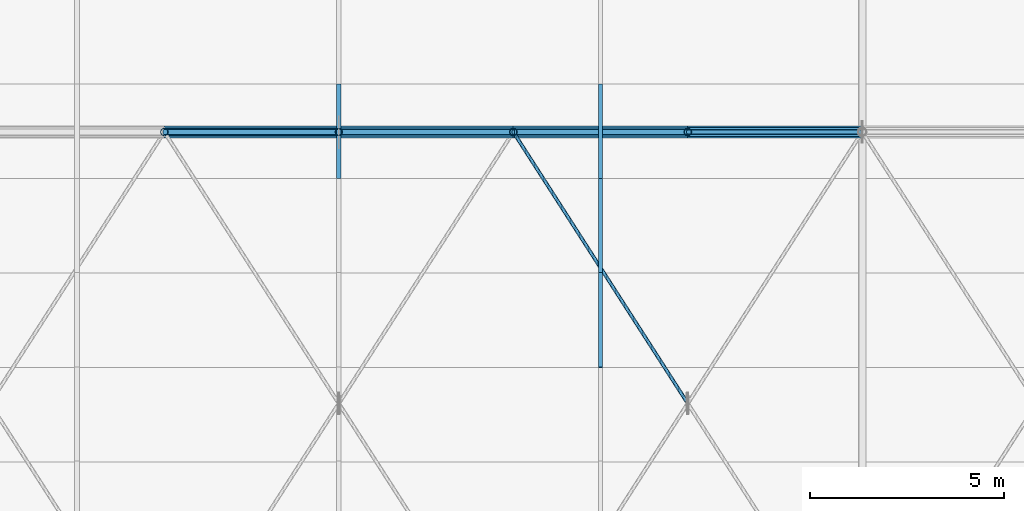
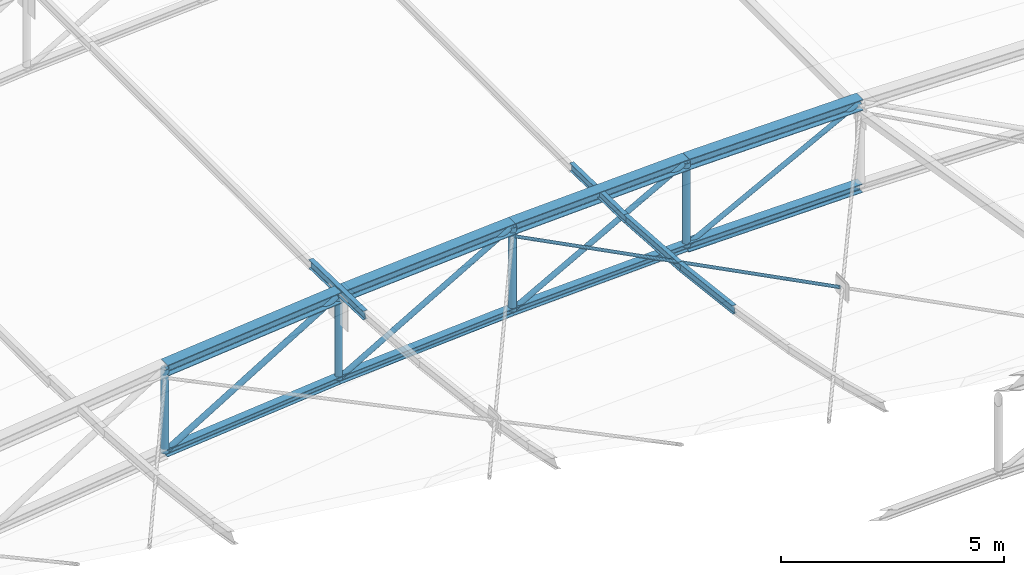
# One storey, part 146 of 262: 21 members.
"""IFC4 building model written with IfcOpenShell, lengths in metres."""

from ifc_helpers import new_model, si_unit, derived_unit, direction, frame, origin, origin_2d, place, context, subcontext, project, spatial, hollow_circle, i_section, extrude, material, material_profile, profile_set, type_object, element, save


model = new_model("IFC4")

# Units and contexts
model_context = context("Model", 3, precision=1e-05, world=origin(), true_north=direction((0.0, 1.0)))
body_context = subcontext(model_context, "Body", "Model", "MODEL_VIEW")
ifc_project = project(units=[si_unit("LENGTHUNIT", "METRE"), si_unit("AREAUNIT", "SQUARE_METRE"), si_unit("VOLUMEUNIT", "CUBIC_METRE"), si_unit("PLANEANGLEUNIT", "RADIAN"), si_unit("MASSUNIT", "GRAM", prefix="KILO"), derived_unit("THERMALTRANSMITTANCEUNIT", [(si_unit("POWERUNIT", "WATT"), 1), (si_unit("LENGTHUNIT", "METRE"), -2), (si_unit("THERMODYNAMICTEMPERATUREUNIT", "KELVIN"), -1)])], contexts=[model_context])

# Site, building, storey
site_placement = place(None, origin())
site = spatial("IfcSite", under=ifc_project, at=site_placement, CompositionType="ELEMENT")
building_placement = place(site_placement, origin())
building = spatial("IfcBuilding", under=site, at=building_placement, Name="Almenara Railside Exhibition Hall", CompositionType="ELEMENT")
storey_placement = place(building_placement, frame((0.0, 0.0, 21.699951171875)))
storey = spatial("IfcBuildingStorey", under=building, at=storey_placement, Name="RF", CompositionType="ELEMENT", Elevation=21.699951171875)

# Members
ifc_material = material(Name="Structural steel S355JR", Category="steel")
ifc_material_profile_1 = material_profile(ifc_material, i_section(OverallWidth=0.239990234375, OverallDepth=0.239990234375, WebThickness=0.010009765625, FlangeThickness=0.01708984375, FilletRadius=0.02099609375, at=origin_2d()), Name="HEB 240")
ifc_profile_set_1 = profile_set([ifc_material_profile_1], Name="Structural steel S355JR")
member_type_1 = type_object("IfcMemberType", Name="Arched Crown Bottom Chord HEB 240 S355JR", PredefinedType="CHORD", material=ifc_profile_set_1)
member_1_placement = place(storey_placement, frame((160.5, 62.0, -7.4462890625), z_axis=(0.999908030213, 0.0, 0.013562120635), x_axis=(0.0, 1.0, 0.0)))
element("IfcMember", 1, at=member_1_placement, inside=storey, type_object=member_type_1, Name="MEM-BC-V2-02-05", PredefinedType="CHORD", context=body_context, shape_type="SweptSolid", body=[
    extrude(i_section(OverallWidth=0.239990234375, OverallDepth=0.239990234375, WebThickness=0.010009765625, FlangeThickness=0.01708984375, FilletRadius=0.02099609375, at=origin_2d()), origin(), (0.0, 0.0, 1.0), 4.50048828125),
])
ifc_material_profile_2 = material_profile(ifc_material, i_section(OverallWidth=0.300048828125, OverallDepth=0.300048828125, WebThickness=0.010986328125, FlangeThickness=0.01904296875, FilletRadius=0.027099609375, at=origin_2d()), Name="HEB 300")
ifc_profile_set_2 = profile_set([ifc_material_profile_2], Name="Structural steel S355JR")
member_type_2 = type_object("IfcMemberType", Name="Arched Inner Top Chord HEB 300 S355JR", PredefinedType="CHORD", material=ifc_profile_set_2)
member_2_placement = place(storey_placement, frame((147.0, 62.0, -6.06298828125), z_axis=(0.995512933083, 0.0, 0.094625578275), x_axis=(0.0, 1.0, 0.0)))
element("IfcMember", 2, at=member_2_placement, inside=storey, type_object=member_type_2, Name="MEM-TC-V2-02-02", PredefinedType="CHORD", context=body_context, shape_type="SweptSolid", body=[
    extrude(i_section(OverallWidth=0.300048828125, OverallDepth=0.300048828125, WebThickness=0.010986328125, FlangeThickness=0.01904296875, FilletRadius=0.027099609375, at=origin_2d()), origin(), (0.0, 0.0, 1.0), 4.520263671875),
])
member_3_placement = place(storey_placement, frame((151.5, 62.0, -5.63525390625), z_axis=(0.997701025897, 0.0, 0.067769188608), x_axis=(0.0, 1.0, 0.0)))
element("IfcMember", 3, at=member_3_placement, inside=storey, type_object=member_type_2, Name="MEM-TC-V2-02-03", PredefinedType="CHORD", context=body_context, shape_type="SweptSolid", body=[
    extrude(i_section(OverallWidth=0.300048828125, OverallDepth=0.300048828125, WebThickness=0.010986328125, FlangeThickness=0.01904296875, FilletRadius=0.027099609375, at=origin_2d()), origin(), (0.0, 0.0, 1.0), 4.51025390625),
])
member_4_placement = place(storey_placement, frame((156.0, 62.0, -5.32958984375), z_axis=(0.99917098071, 0.0, 0.04071057978), x_axis=(0.0, 1.0, 0.0)))
element("IfcMember", 4, at=member_4_placement, inside=storey, type_object=member_type_2, Name="MEM-TC-V2-02-04", PredefinedType="CHORD", context=body_context, shape_type="SweptSolid", body=[
    extrude(i_section(OverallWidth=0.300048828125, OverallDepth=0.300048828125, WebThickness=0.010986328125, FlangeThickness=0.01904296875, FilletRadius=0.027099609375, at=origin_2d()), origin(), (0.0, 0.0, 1.0), 4.503662109375),
])
member_5_placement = place(storey_placement, frame((160.5, 62.0, -5.146240234375), z_axis=(0.999908030213, 0.0, 0.013562120635), x_axis=(0.0, 1.0, 0.0)))
element("IfcMember", 5, at=member_5_placement, inside=storey, type_object=member_type_2, Name="MEM-TC-V2-02-05", PredefinedType="CHORD", context=body_context, shape_type="SweptSolid", body=[
    extrude(i_section(OverallWidth=0.300048828125, OverallDepth=0.300048828125, WebThickness=0.010986328125, FlangeThickness=0.01904296875, FilletRadius=0.027099609375, at=origin_2d()), origin(), (0.0, 0.0, 1.0), 4.50048828125),
])
ifc_material_profile_3 = material_profile(ifc_material, i_section(OverallWidth=0.199951171875, OverallDepth=0.199951171875, WebThickness=0.009033203125, FlangeThickness=0.014892578125, FilletRadius=0.01806640625, at=origin_2d()), Name="HEB 200")
ifc_profile_set_3 = profile_set([ifc_material_profile_3], Name="Structural steel S355JR")
member_type_3 = type_object("IfcMemberType", Name="Canopy Collar Chord HEB 200 S355JR", PredefinedType="CHORD", material=ifc_profile_set_3)
member_6_placement = place(storey_placement, frame((147.0, 62.0, -8.363037109375), z_axis=(0.995507843872, 0.0, 0.094679104292), x_axis=(0.0, 1.0, 0.0)))
element("IfcMember", 6, at=member_6_placement, inside=storey, type_object=member_type_3, Name="MEM-BC-V2-02-02", PredefinedType="CHORD", context=body_context, shape_type="SweptSolid", body=[
    extrude(i_section(OverallWidth=0.199951171875, OverallDepth=0.199951171875, WebThickness=0.009033203125, FlangeThickness=0.014892578125, FilletRadius=0.01806640625, at=origin_2d()), origin(), (0.0, 0.0, 1.0), 4.520263671875),
])
member_7_placement = place(storey_placement, frame((151.5, 62.0, -7.93505859375), z_axis=(0.997704684283, 0.0, 0.067715308162), x_axis=(0.0, 1.0, 0.0)))
element("IfcMember", 7, at=member_7_placement, inside=storey, type_object=member_type_3, Name="MEM-BC-V2-02-03", PredefinedType="CHORD", context=body_context, shape_type="SweptSolid", body=[
    extrude(i_section(OverallWidth=0.199951171875, OverallDepth=0.199951171875, WebThickness=0.009033203125, FlangeThickness=0.014892578125, FilletRadius=0.01806640625, at=origin_2d()), origin(), (0.0, 0.0, 1.0), 4.51025390625),
])
member_8_placement = place(storey_placement, frame((156.0, 62.0, -7.629638671875), z_axis=(0.99917098071, 0.0, 0.04071057978), x_axis=(0.0, 1.0, 0.0)))
element("IfcMember", 8, at=member_8_placement, inside=storey, type_object=member_type_3, Name="MEM-BC-V2-02-04", PredefinedType="CHORD", context=body_context, shape_type="SweptSolid", body=[
    extrude(i_section(OverallWidth=0.199951171875, OverallDepth=0.199951171875, WebThickness=0.009033203125, FlangeThickness=0.014892578125, FilletRadius=0.01806640625, at=origin_2d()), origin(), (0.0, 0.0, 1.0), 4.503662109375),
])
ifc_material_profile_4 = material_profile(ifc_material, hollow_circle(Radius=0.04443359375, WallThickness=0.00390625, at=origin_2d()), Name="CHS 88.9x4")
ifc_profile_set_4 = profile_set([ifc_material_profile_4], Name="Structural steel S355JR")
member_type_4 = type_object("IfcMemberType", Name="Canopy Tie Brace CHS 88.9x4 S355JR", PredefinedType="BRACE", material=ifc_profile_set_4)
member_9_placement = place(storey_placement, frame((160.47412109375, 55.040283203125, -4.3603515625), z_axis=(-0.534698316406, 0.831749694739, -0.149298880555), x_axis=(-0.84117751664, -0.540759082679, 0.0)))
element("IfcMember", 9, at=member_9_placement, inside=storey, type_object=member_type_4, Name="MEM-WB-V2-WB-CHS89-01-04-S2", PredefinedType="BRACE", context=body_context, shape_type="SweptSolid", body=[
    extrude(hollow_circle(Radius=0.04443359375, WallThickness=0.00390625, at=origin_2d()), origin(), (0.0, 0.0, 1.0), 8.36767578125),
])
ifc_material_profile_5 = material_profile(ifc_material, i_section(OverallWidth=0.110107421875, OverallDepth=0.219970703125, WebThickness=0.005859375, FlangeThickness=0.00927734375, FilletRadius=0.011962890625, at=origin_2d()), Name="IPE 220")
ifc_profile_set_5 = profile_set([ifc_material_profile_5], Name="Structural steel S355JR")
member_type_5 = type_object("IfcMemberType", Name="Heavy Hall Roof Purlin IPE 220 S355JR", PredefinedType="PURLIN", material=ifc_profile_set_5)
member_10_placement = place(storey_placement, frame((158.25, 55.930419921875, -4.73046875), z_axis=(0.0, 0.993117280569, -0.117124152227), x_axis=(-1.0, 0.0, 0.0)))
element("IfcMember", 10, at=member_10_placement, inside=storey, type_object=member_type_5, Name="MEM-PR-V2-PR-IPE220-03-09", PredefinedType="PURLIN", context=body_context, shape_type="SweptSolid", body=[
    extrude(i_section(OverallWidth=0.110107421875, OverallDepth=0.219970703125, WebThickness=0.005859375, FlangeThickness=0.00927734375, FilletRadius=0.011962890625, at=origin_2d()), origin(), (0.0, 0.0, 1.0), 2.453369140625),
])
member_11_placement = place(storey_placement, frame((158.25, 58.366943359375, -5.0166015625), z_axis=(0.0, 0.997528729247, -0.070259763216), x_axis=(-1.0, 0.0, 0.0)))
element("IfcMember", 11, at=member_11_placement, inside=storey, type_object=member_type_5, Name="MEM-PR-V2-PR-IPE220-03-10", PredefinedType="PURLIN", context=body_context, shape_type="SweptSolid", body=[
    extrude(i_section(OverallWidth=0.110107421875, OverallDepth=0.219970703125, WebThickness=0.005859375, FlangeThickness=0.00927734375, FilletRadius=0.011962890625, at=origin_2d()), origin(), (0.0, 0.0, 1.0), 2.44287109375),
])
member_12_placement = place(storey_placement, frame((158.25, 60.8037109375, -5.187744140625), z_axis=(0.0, 0.999725289903, -0.023438104182), x_axis=(-1.0, 0.0, 0.0)))
element("IfcMember", 12, at=member_12_placement, inside=storey, type_object=member_type_5, Name="MEM-PR-V2-PR-IPE220-03-11", PredefinedType="PURLIN", context=body_context, shape_type="SweptSolid", body=[
    extrude(i_section(OverallWidth=0.110107421875, OverallDepth=0.219970703125, WebThickness=0.005859375, FlangeThickness=0.00927734375, FilletRadius=0.011962890625, at=origin_2d()), origin(), (0.0, 0.0, 1.0), 2.4375),
])
ifc_material_profile_6 = material_profile(ifc_material, i_section(OverallWidth=0.1201171875, OverallDepth=0.239990234375, WebThickness=0.006103515625, FlangeThickness=0.009765625, FilletRadius=0.014892578125, at=origin_2d()), Name="IPE 240")
ifc_profile_set_6 = profile_set([ifc_material_profile_6], Name="Structural steel S355JR")
member_type_6 = type_object("IfcMemberType", Name="Scroll Roof Purlin IPE 240 S355JR", PredefinedType="PURLIN", material=ifc_profile_set_6)
member_13_placement = place(storey_placement, frame((151.5, 60.8037109375, -5.47509765625), z_axis=(0.0, 0.999725289903, -0.023438104182), x_axis=(-1.0, 0.0, 0.0)))
element("IfcMember", 13, at=member_13_placement, inside=storey, type_object=member_type_6, Name="MEM-PR-V2-PR-IPE240-02-11", PredefinedType="PURLIN", context=body_context, shape_type="SweptSolid", body=[
    extrude(i_section(OverallWidth=0.1201171875, OverallDepth=0.239990234375, WebThickness=0.006103515625, FlangeThickness=0.009765625, FilletRadius=0.014892578125, at=origin_2d()), origin(), (0.0, 0.0, 1.0), 2.4375),
])
ifc_material_profile_7 = material_profile(ifc_material, hollow_circle(Radius=0.0634765625, WallThickness=0.00439453125, at=origin_2d()), Name="CHS 127.0x4.5")
ifc_profile_set_7 = profile_set([ifc_material_profile_7], Name="Structural steel S355JR")
member_type_7 = type_object("IfcMemberType", Name="Truss Crown Diagonal CHS 127.0x4.5 S355JR", PredefinedType="BRACE", material=ifc_profile_set_7)
member_14_placement = place(storey_placement, frame((160.5, 62.0, -7.4462890625), z_axis=(0.885512555589, 0.0, 0.464615447326), x_axis=(0.0, 1.0, 0.0)))
element("IfcMember", 14, at=member_14_placement, inside=storey, type_object=member_type_7, Name="MEM-TD-V2-02-05", PredefinedType="BRACE", context=body_context, shape_type="SweptSolid", body=[
    extrude(hollow_circle(Radius=0.0634765625, WallThickness=0.00439453125, at=origin_2d()), origin(), (0.0, 0.0, 1.0), 5.081787109375),
])
ifc_material_profile_8 = material_profile(ifc_material, hollow_circle(Radius=0.06982421875, WallThickness=0.0048828125, at=origin_2d()), Name="CHS 139.7x5")
ifc_profile_set_8 = profile_set([ifc_material_profile_8], Name="Structural steel S355JR")
member_type_8 = type_object("IfcMemberType", Name="Truss Inner Diagonal CHS 139.7x5 S355JR", PredefinedType="BRACE", material=ifc_profile_set_8)
member_15_placement = place(storey_placement, frame((151.5, 62.0, -7.93505859375), z_axis=(0.865409140876, 0.0, 0.501065882782), x_axis=(0.0, 1.0, 0.0)))
element("IfcMember", 15, at=member_15_placement, inside=storey, type_object=member_type_8, Name="MEM-TD-V2-02-03", PredefinedType="BRACE", context=body_context, shape_type="SweptSolid", body=[
    extrude(hollow_circle(Radius=0.06982421875, WallThickness=0.0048828125, at=origin_2d()), origin(), (0.0, 0.0, 1.0), 5.199951171875),
])
member_16_placement = place(storey_placement, frame((156.0, 62.0, -7.629638671875), z_axis=(0.875525025835, 0.0, 0.483172773589), x_axis=(0.0, 1.0, 0.0)))
element("IfcMember", 16, at=member_16_placement, inside=storey, type_object=member_type_8, Name="MEM-TD-V2-02-04", PredefinedType="BRACE", context=body_context, shape_type="SweptSolid", body=[
    extrude(hollow_circle(Radius=0.06982421875, WallThickness=0.0048828125, at=origin_2d()), origin(), (0.0, 0.0, 1.0), 5.139892578125),
])
ifc_material_profile_9 = material_profile(ifc_material, hollow_circle(Radius=0.076171875, WallThickness=0.0048828125, at=origin_2d()), Name="CHS 152.4x5")
ifc_profile_set_9 = profile_set([ifc_material_profile_9], Name="Structural steel S355JR")
member_type_9 = type_object("IfcMemberType", Name="Truss Mid Diagonal CHS 152.4x5 S355JR", PredefinedType="BRACE", material=ifc_profile_set_9)
member_17_placement = place(storey_placement, frame((147.0, 62.0, -8.363037109375), z_axis=(0.855154829777, 0.0, 0.518372662386), x_axis=(0.0, 1.0, 0.0)))
element("IfcMember", 17, at=member_17_placement, inside=storey, type_object=member_type_9, Name="MEM-TD-V2-02-02", PredefinedType="BRACE", context=body_context, shape_type="SweptSolid", body=[
    extrude(hollow_circle(Radius=0.076171875, WallThickness=0.0048828125, at=origin_2d()), origin(), (0.0, 0.0, 1.0), 5.26220703125),
])
ifc_material_profile_10 = material_profile(ifc_material, hollow_circle(Radius=0.0888671875, WallThickness=0.006103515625, at=origin_2d()), Name="CHS 177.8x6")
ifc_profile_set_10 = profile_set([ifc_material_profile_10], Name="Structural steel S355JR")
member_type_10 = type_object("IfcMemberType", Name="Truss Quarter Vertical Strut CHS 177.8x6 S355JR", PredefinedType="BRACE", material=ifc_profile_set_10)
member_18_placement = place(storey_placement, frame((151.5, 62.0, -7.93505859375), z_axis=(0.0, 0.0, 1.0), x_axis=(1.0, 0.0, 0.0)))
element("IfcMember", 18, at=member_18_placement, inside=storey, type_object=member_type_10, Name="MEM-TV-V2-02-03", PredefinedType="BRACE", context=body_context, shape_type="SweptSolid", body=[
    extrude(hollow_circle(Radius=0.0888671875, WallThickness=0.006103515625, at=origin_2d()), origin(), (0.0, 0.0, 1.0), 2.2998046875),
])
ifc_material_profile_11 = material_profile(ifc_material, hollow_circle(Radius=0.096923828125, WallThickness=0.00634765625, at=origin_2d()), Name="CHS 193.7x6.3")
ifc_profile_set_11 = profile_set([ifc_material_profile_11], Name="Structural steel S355JR")
member_type_11 = type_object("IfcMemberType", Name="Truss Standard Vertical Strut CHS 193.7x6.3 S355JR", PredefinedType="BRACE", material=ifc_profile_set_11)
for number, where, z_axis, x_axis, name in (
    (19, (147.0, 62.0, -8.363037109375), (0.0, 0.0, 1.0), (1.0, 0.0, 0.0), "MEM-TV-V2-02-02"),
    (20, (156.0, 62.0, -7.629638671875), (0.0, 0.0, 1.0), (1.0, 0.0, 0.0), "MEM-TV-V2-02-04"),
    (21, (160.5, 62.0, -7.4462890625), (0.0, 0.0, 1.0), (1.0, 0.0, 0.0), "MEM-TV-V2-02-05"),
):
    element("IfcMember", number, at=place(storey_placement, frame(where, z_axis=z_axis, x_axis=x_axis)), inside=storey, type_object=member_type_11, Name=name, PredefinedType="BRACE", context=body_context, shape_type="SweptSolid", body=[
        extrude(hollow_circle(Radius=0.096923828125, WallThickness=0.00634765625, at=origin_2d()), origin(), (0.0, 0.0, 1.0), 2.300048828125),
    ])

save(model, "model.ifc")
